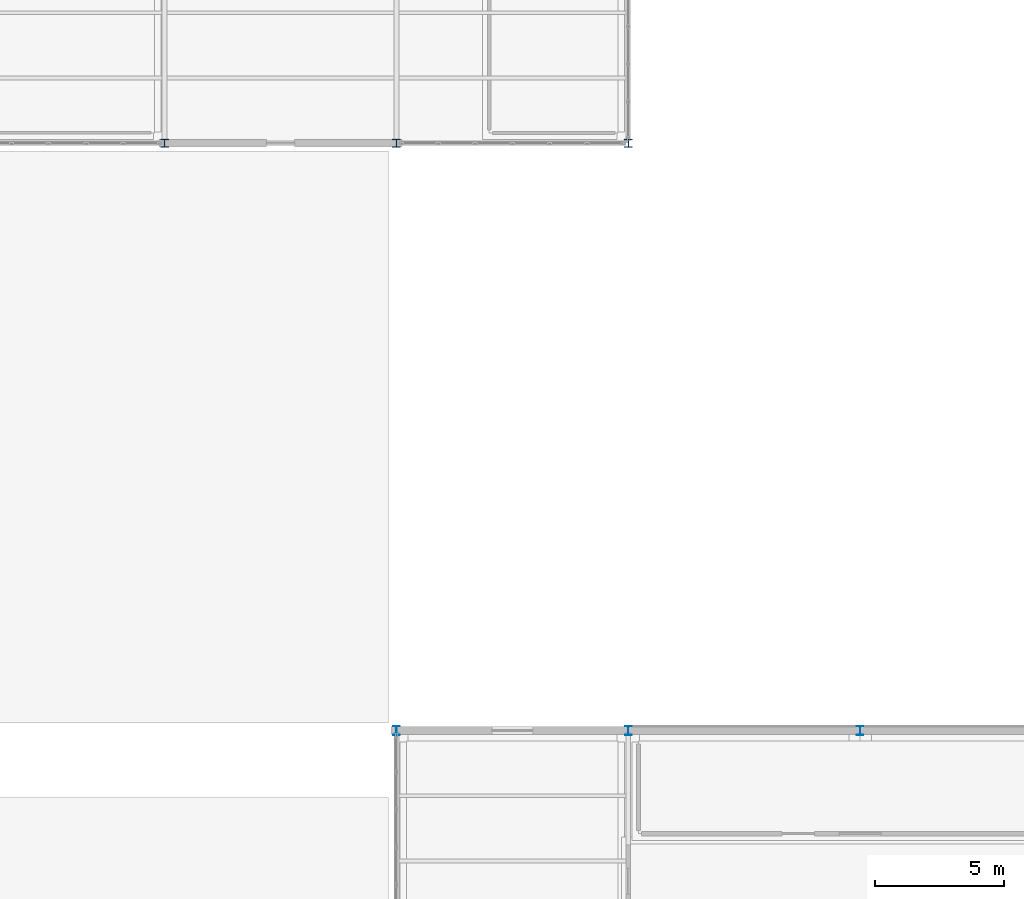
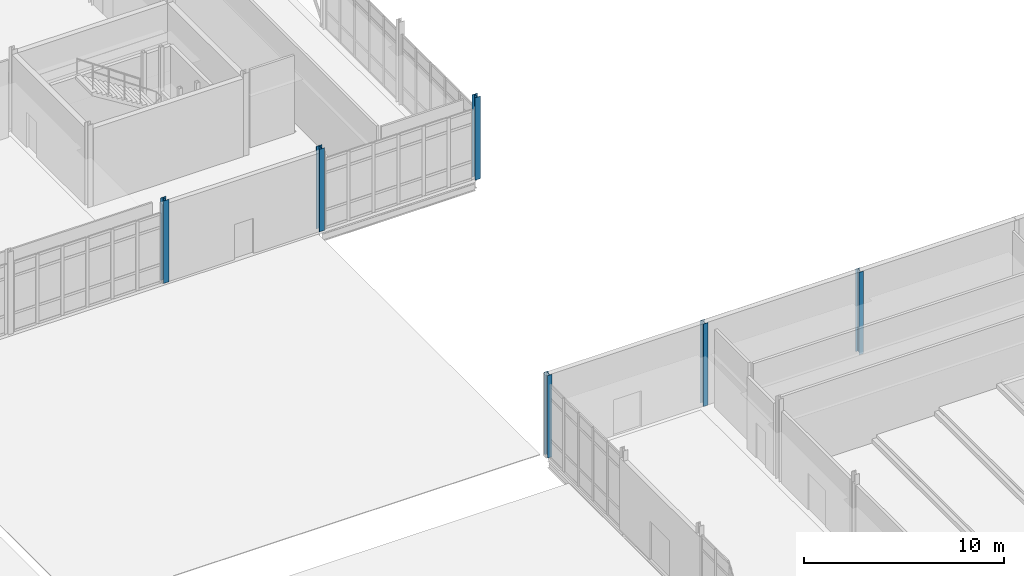
# One storey, part 27 of 161: 6 columns.
"""IFC4 building model written with IfcOpenShell, lengths in metres."""

from ifc_helpers import new_model, si_unit, direction, frame, origin, origin_2d, place, context, subcontext, project, spatial, i_section, extrude, material, material_profile, profile_set, type_object, element, save


model = new_model("IFC4")

# Units and contexts
model_context = context("Model", 3, precision=1e-05, world=origin(), true_north=direction((0.0, 1.0)))
body_context = subcontext(model_context, "Body", "Model", "MODEL_VIEW")
ifc_project = project(units=[si_unit("LENGTHUNIT", "METRE"), si_unit("AREAUNIT", "SQUARE_METRE"), si_unit("VOLUMEUNIT", "CUBIC_METRE"), si_unit("PLANEANGLEUNIT", "RADIAN"), si_unit("MASSUNIT", "GRAM", prefix="KILO")], contexts=[model_context])

# Site, building, storey
site_placement = place(None, origin())
site = spatial("IfcSite", under=ifc_project, at=site_placement, CompositionType="ELEMENT")
building_placement = place(site_placement, origin())
building = spatial("IfcBuilding", under=site, at=building_placement, Name="Caisbarro Railhouse Central Library", CompositionType="ELEMENT")
storey_placement = place(building_placement, origin())
storey = spatial("IfcBuildingStorey", under=building, at=storey_placement, Name="L00", CompositionType="ELEMENT", Elevation=0.0)

# Columns
ifc_material = material(Name="Steel ASTM A572 Grade 50", Category="steel")
ifc_material_profile_1 = material_profile(ifc_material, i_section(OverallWidth=0.31201171875, OverallDepth=0.31201171875, WebThickness=0.017333984375, FlangeThickness=0.017333984375, FilletRadius=0.014892578125, at=origin_2d()), Name="HP310X125.0")
ifc_profile_set_1 = profile_set([ifc_material_profile_1], Name="Steel ASTM A572 Grade 50")
column_type_1 = type_object("IfcColumnType", Name="COL-C03", PredefinedType="COLUMN", material=ifc_profile_set_1)
for number, where, z_axis, x_axis, name in (
    (1, (135.0, 60.800048828125, 0.0), (0.0, 0.0, 1.0), (1.0, 0.0, 0.0), "C03 column L00 (135.0,60.8)"),
    (2, (144.0, 60.800048828125, 0.0), (0.0, 0.0, 1.0), (1.0, 0.0, 0.0), "C03 column L00 (144.0,60.8)"),
    (3, (153.0, 60.800048828125, 0.0), (0.0, 0.0, 1.0), (1.0, 0.0, 0.0), "C03 column L00 (153.0,60.8)"),
):
    element("IfcColumn", number, at=place(storey_placement, frame(where, z_axis=z_axis, x_axis=x_axis)), inside=storey, type_object=column_type_1, Name=name, PredefinedType="COLUMN", context=body_context, shape_type="SweptSolid", body=[
        extrude(i_section(OverallWidth=0.31201171875, OverallDepth=0.31201171875, WebThickness=0.017333984375, FlangeThickness=0.017333984375, FilletRadius=0.014892578125, at=origin_2d()), origin(), (0.0, 0.0, 1.0), 5.0400390625),
    ])
ifc_material_profile_2 = material_profile(ifc_material, i_section(OverallWidth=0.25390625, OverallDepth=0.35302734375, WebThickness=0.009521484375, FlangeThickness=0.016357421875, FilletRadius=0.014892578125, at=origin_2d()), Name="W360X91.0")
ifc_profile_set_2 = profile_set([ifc_material_profile_2], Name="Steel ASTM A572 Grade 50")
column_type_2 = type_object("IfcColumnType", Name="COL-C05", PredefinedType="COLUMN", material=ifc_profile_set_2)
for number, where, z_axis, x_axis, name in (
    (4, (144.0, 38.0, 0.0), (0.0, 0.0, 1.0), (1.0, 0.0, 0.0), "C05 column L00 (144.0,38.0)"),
    (5, (153.0, 38.0, 0.0), (0.0, 0.0, 1.0), (1.0, 0.0, 0.0), "C05 column L00 (153.0,38.0)"),
    (6, (162.0, 38.0, 0.0), (0.0, 0.0, 1.0), (1.0, 0.0, 0.0), "C05 column L00 (162.0,38.0)"),
):
    element("IfcColumn", number, at=place(storey_placement, frame(where, z_axis=z_axis, x_axis=x_axis)), inside=storey, type_object=column_type_2, Name=name, PredefinedType="COLUMN", context=body_context, shape_type="SweptSolid", body=[
        extrude(i_section(OverallWidth=0.25390625, OverallDepth=0.35302734375, WebThickness=0.009521484375, FlangeThickness=0.016357421875, FilletRadius=0.014892578125, at=origin_2d()), origin(), (0.0, 0.0, 1.0), 5.0400390625),
    ])

save(model, "model.ifc")
